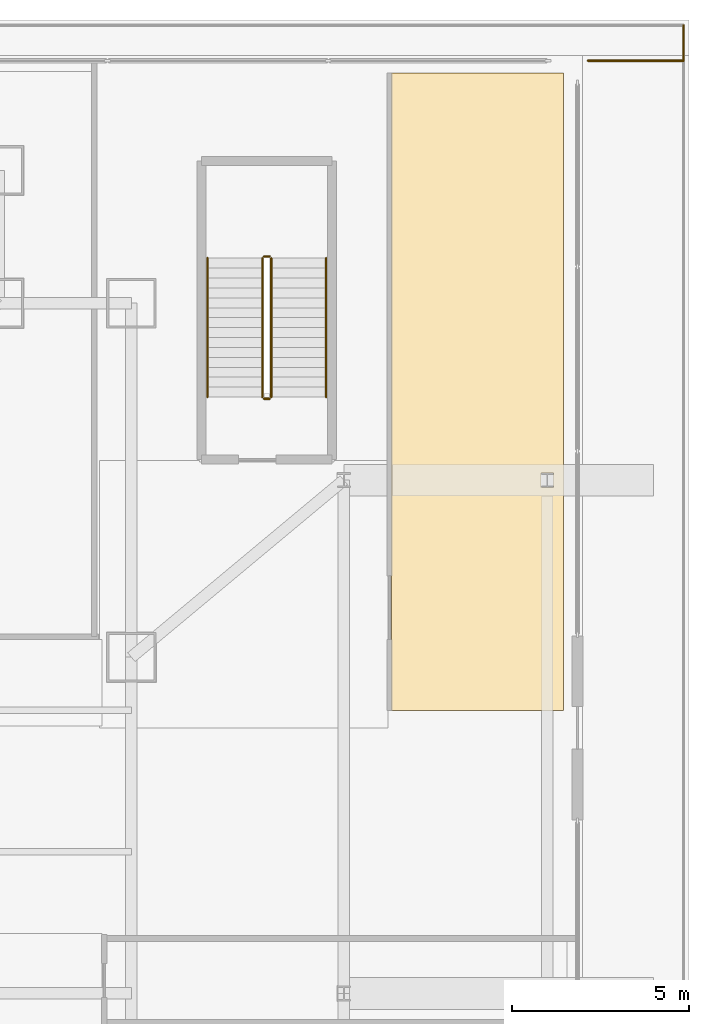
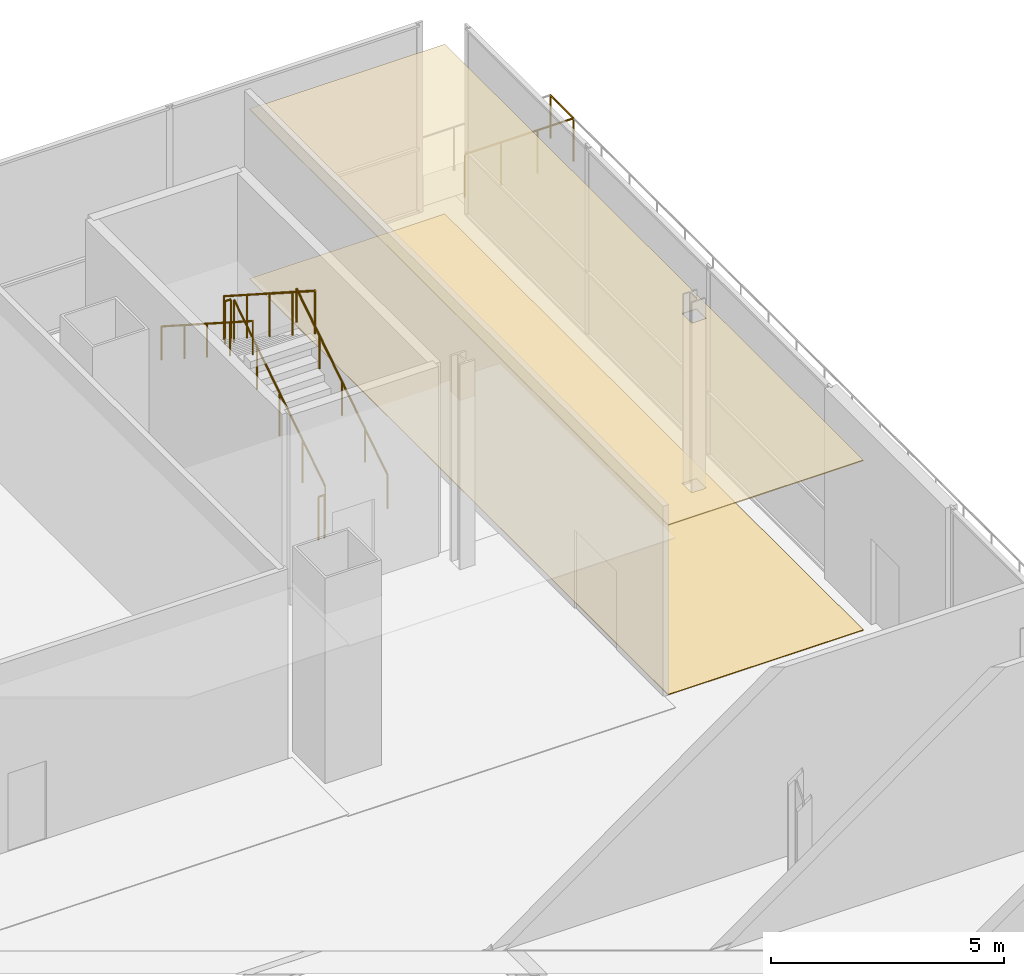
# One storey, part 35 of 35: 8 railings, 2 coverings.
"""IFC4 building model written with IfcOpenShell, lengths in metres."""

from ifc_helpers import new_model, si_unit, direction, frame, origin, origin_2d, place, context, subcontext, project, spatial, polyline, circle, outline, extrude, material, layer, layer_set, type_object, element, save


model = new_model("IFC4")

# Units and contexts
model_context = context("Model", 3, precision=1e-05, world=origin(), true_north=direction((0.0, 1.0)))
body_context = subcontext(model_context, "Body", "Model", "MODEL_VIEW")
ifc_project = project(units=[si_unit("LENGTHUNIT", "METRE"), si_unit("AREAUNIT", "SQUARE_METRE"), si_unit("VOLUMEUNIT", "CUBIC_METRE"), si_unit("PLANEANGLEUNIT", "RADIAN"), si_unit("MASSUNIT", "GRAM", prefix="KILO")], contexts=[model_context])

# Site, building, storey
site_placement = place(None, origin())
site = spatial("IfcSite", under=ifc_project, at=site_placement, CompositionType="ELEMENT")
building_placement = place(site_placement, origin())
building = spatial("IfcBuilding", under=site, at=building_placement, Name="Trevonay Congress Spire", CompositionType="ELEMENT")
storey_placement = place(building_placement, frame((0.0, 0.0, 10.800048828125)))
storey = spatial("IfcBuildingStorey", under=building, at=storey_placement, Name="L02", CompositionType="ELEMENT", Elevation=10.800048828125)

# Coverings
ifc_material_1 = material(Name="Acoustic Mineral Fibre Board", Category="gypsum")
ifc_layer_1 = layer(ifc_material_1, 0.02490234375, Name="Acoustic Mineral Fibre Board")
ifc_layer_set_1 = layer_set([ifc_layer_1], Name="Acoustic Mineral Fibre Board")
covering_type_1 = type_object("IfcCoveringType", Name="COV-CEIL-ACOUSTIC", PredefinedType="CEILING", material=ifc_layer_set_1)
covering_1_placement = place(storey_placement, frame((0.0, 0.0, 4.449951171875)))
element("IfcCovering", 1, at=covering_1_placement, inside=storey, type_object=covering_type_1, Name="L02 L02 North-East Hospitality Salon acoustic suspended ceiling", PredefinedType="CEILING", context=body_context, shape_type="SweptSolid", body=[
    extrude(outline(polyline([(30.60009765625, 26.0), (35.449951171875, 26.0), (35.449951171875, 8.0), (30.60009765625, 8.0), (30.60009765625, 26.0)]), holes=[polyline([(35.179931640625, 14.29345703125), (35.179931640625, 14.70654296875), (34.820068359375, 14.70654296875), (34.820068359375, 14.29345703125), (35.179931640625, 14.29345703125)])]), origin(), (0.0, 0.0, 1.0), 0.02490234375),
])
ifc_material_2 = material(Name="Polished Granite Floor Tile", Category="masonry")
ifc_layer_2 = layer(ifc_material_2, 0.02001953125, Name="Polished Granite Floor Tile")
ifc_layer_set_2 = layer_set([ifc_layer_2], Name="Polished Granite Floor Tile")
covering_type_2 = type_object("IfcCoveringType", Name="COV-FLOOR-STONE", PredefinedType="FLOORING", material=ifc_layer_set_2)
covering_2_placement = place(storey_placement, origin())
element("IfcCovering", 2, at=covering_2_placement, inside=storey, type_object=covering_type_2, Name="L02 L02 North-East Hospitality Salon floor finish", PredefinedType="FLOORING", context=body_context, shape_type="SweptSolid", body=[
    extrude(outline(polyline([(30.60009765625, 26.0), (35.449951171875, 26.0), (35.449951171875, 8.0), (30.60009765625, 8.0), (30.60009765625, 26.0)]), holes=[polyline([(35.179931640625, 14.29345703125), (35.179931640625, 14.70654296875), (34.820068359375, 14.70654296875), (34.820068359375, 14.29345703125), (35.179931640625, 14.29345703125)])]), origin(), (0.0, 0.0, 1.0), 0.02001953125),
])

# Railings
ifc_material_3 = material(Name="Pale Anodised Aluminium EN AW-6063-T6", Category="aluminium")
railing_type_1 = type_object("IfcRailingType", Name="RAL-EXT-GUARD-115", PredefinedType="GUARDRAIL", material=ifc_material_3)
railing_1_placement = place(storey_placement, frame((38.85009765625, 26.35009765625, 0.0)))
element("IfcRailing", 3, at=railing_1_placement, inside=storey, type_object=railing_type_1, Name="L02 perimeter safety guard GRD-L02-TER-E-3", PredefinedType="GUARDRAIL", context=body_context, shape_type="SweptSolid", body=[
    extrude(circle(Radius=0.02392578125, at=origin_2d()), frame((0.0, 0.0, 1.1259765625), z_axis=(-1.0, 0.0, 0.0), x_axis=(0.0, -1.0, 0.0)), (0.0, 0.0, 1.0), 2.7001953125),
    extrude(circle(Radius=0.02099609375, at=origin_2d()), origin(), (0.0, 0.0, 1.0), 1.101806640625),
    extrude(circle(Radius=0.02099609375, at=origin_2d()), frame((-0.900146484375, 0.0, 0.0)), (0.0, 0.0, 1.0), 1.101806640625),
    extrude(circle(Radius=0.02099609375, at=origin_2d()), frame((-1.800048828125, 0.0, 0.0)), (0.0, 0.0, 1.0), 1.101806640625),
    extrude(circle(Radius=0.02099609375, at=origin_2d()), frame((-2.7001953125, 0.0, 0.0)), (0.0, 0.0, 1.0), 1.101806640625),
])
railing_2_placement = place(storey_placement, frame((38.85009765625, 27.35009765625, 0.0)))
element("IfcRailing", 4, at=railing_2_placement, inside=storey, type_object=railing_type_1, Name="L02 perimeter safety guard GRD-L02-TER-N-3", PredefinedType="GUARDRAIL", context=body_context, shape_type="SweptSolid", body=[
    extrude(circle(Radius=0.02392578125, at=origin_2d()), frame((0.0, 0.0, 1.1259765625), z_axis=(0.0, -1.0, 0.0), x_axis=(1.0, 0.0, 0.0)), (0.0, 0.0, 1.0), 1.0),
    extrude(circle(Radius=0.02099609375, at=origin_2d()), origin(), (0.0, 0.0, 1.0), 1.101806640625),
    extrude(circle(Radius=0.02099609375, at=origin_2d()), frame((0.0, -1.0, 0.0)), (0.0, 0.0, 1.0), 1.101806640625),
])
railing_type_2 = type_object("IfcRailingType", Name="RAL-STAIR-GUARD-110", PredefinedType="GUARDRAIL", material=ifc_material_3)
railing_3_placement = place(storey_placement, frame((27.199951171875, 16.85009765625, 0.179931640625)))
element("IfcRailing", 5, at=railing_3_placement, inside=storey, type_object=railing_type_2, Name="L02 ST-6 stair guard 1", PredefinedType="GUARDRAIL", context=body_context, shape_type="SweptSolid", body=[
    extrude(circle(Radius=0.02392578125, at=origin_2d()), frame((0.0, 0.0, 1.1259765625), z_axis=(0.0, 0.841171666519, 0.540768182723), x_axis=(-1.0, 0.0, 0.0)), (0.0, 0.0, 1.0), 4.66015625),
    extrude(circle(Radius=0.02099609375, at=origin_2d()), origin(), (0.0, 0.0, 1.0), 1.101806640625),
    extrude(circle(Radius=0.02099609375, at=origin_2d()), frame((0.0, 0.97998046875, 0.6298828125)), (0.0, 0.0, 1.0), 1.101806640625),
    extrude(circle(Radius=0.02099609375, at=origin_2d()), frame((0.0, 1.9599609375, 1.260009765625)), (0.0, 0.0, 1.0), 1.101806640625),
    extrude(circle(Radius=0.02099609375, at=origin_2d()), frame((0.0, 2.93994140625, 1.89013671875)), (0.0, 0.0, 1.0), 1.101806640625),
    extrude(circle(Radius=0.02099609375, at=origin_2d()), frame((0.0, 3.919921875, 2.52001953125)), (0.0, 0.0, 1.0), 1.101806640625),
])
railing_4_placement = place(storey_placement, frame((27.14990234375, 20.820068359375, 2.699951171875)))
element("IfcRailing", 6, at=railing_4_placement, inside=storey, type_object=railing_type_2, Name="L02 ST-6 stair guard 2", PredefinedType="GUARDRAIL", context=body_context, shape_type="SweptSolid", body=[
    extrude(circle(Radius=0.02392578125, at=origin_2d()), frame((0.0, 0.0, 1.1259765625), z_axis=(-1.0, 0.0, 0.0), x_axis=(0.0, -1.0, 0.0)), (0.0, 0.0, 1.0), 0.14990234375),
    extrude(circle(Radius=0.02099609375, at=origin_2d()), origin(), (0.0, 0.0, 1.0), 1.101806640625),
    extrude(circle(Radius=0.02099609375, at=origin_2d()), frame((-0.14990234375, 0.0, 0.0)), (0.0, 0.0, 1.0), 1.101806640625),
])
railing_5_placement = place(storey_placement, frame((26.949951171875, 20.77001953125, 2.8798828125)))
element("IfcRailing", 7, at=railing_5_placement, inside=storey, type_object=railing_type_2, Name="L02 ST-6 stair guard 3", PredefinedType="GUARDRAIL", context=body_context, shape_type="SweptSolid", body=[
    extrude(circle(Radius=0.02392578125, at=origin_2d()), frame((0.0, 0.0, 1.1259765625), z_axis=(0.0, -0.841171666519, 0.540768182723), x_axis=(1.0, 0.0, 0.0)), (0.0, 0.0, 1.0), 4.66015625),
    extrude(circle(Radius=0.02099609375, at=origin_2d()), origin(), (0.0, 0.0, 1.0), 1.101806640625),
    extrude(circle(Radius=0.02099609375, at=origin_2d()), frame((0.0, -0.97998046875, 0.6298828125)), (0.0, 0.0, 1.0), 1.101806640625),
    extrude(circle(Radius=0.02099609375, at=origin_2d()), frame((0.0, -1.9599609375, 1.260009765625)), (0.0, 0.0, 1.0), 1.101806640625),
    extrude(circle(Radius=0.02099609375, at=origin_2d()), frame((0.0, -2.93994140625, 1.89013671875)), (0.0, 0.0, 1.0), 1.101806640625),
    extrude(circle(Radius=0.02099609375, at=origin_2d()), frame((0.0, -3.919921875, 2.52001953125)), (0.0, 0.0, 1.0), 1.101806640625),
])
railing_6_placement = place(storey_placement, frame((27.14990234375, 16.800048828125, 0.0)))
element("IfcRailing", 8, at=railing_6_placement, inside=storey, type_object=railing_type_2, Name="L02 ST-6 stair guard 4", PredefinedType="GUARDRAIL", context=body_context, shape_type="SweptSolid", body=[
    extrude(circle(Radius=0.02392578125, at=origin_2d()), frame((0.0, 0.0, 1.1259765625), z_axis=(-1.0, 0.0, 0.0), x_axis=(0.0, -1.0, 0.0)), (0.0, 0.0, 1.0), 0.14990234375),
    extrude(circle(Radius=0.02099609375, at=origin_2d()), origin(), (0.0, 0.0, 1.0), 1.101806640625),
    extrude(circle(Radius=0.02099609375, at=origin_2d()), frame((-0.14990234375, 0.0, 0.0)), (0.0, 0.0, 1.0), 1.101806640625),
])
railing_type_3 = type_object("IfcRailingType", Name="RAL-STAIR-HANDRAIL", PredefinedType="HANDRAIL", material=ifc_material_3)
railing_7_placement = place(storey_placement, frame((28.75, 16.85009765625, 0.179931640625)))
element("IfcRailing", 9, at=railing_7_placement, inside=storey, type_object=railing_type_3, Name="L02 ST-6 stair handrail 1", PredefinedType="HANDRAIL", context=body_context, shape_type="SweptSolid", body=[
    extrude(circle(Radius=0.02392578125, at=origin_2d()), frame((0.0, 0.0, 0.8759765625), z_axis=(0.0, 0.841171666519, 0.540768182723), x_axis=(-1.0, 0.0, 0.0)), (0.0, 0.0, 1.0), 4.66015625),
    extrude(circle(Radius=0.02099609375, at=origin_2d()), origin(), (0.0, 0.0, 1.0), 0.851806640625),
    extrude(circle(Radius=0.02099609375, at=origin_2d()), frame((0.0, 0.97998046875, 0.6298828125)), (0.0, 0.0, 1.0), 0.851806640625),
    extrude(circle(Radius=0.02099609375, at=origin_2d()), frame((0.0, 1.9599609375, 1.260009765625)), (0.0, 0.0, 1.0), 0.851806640625),
    extrude(circle(Radius=0.02099609375, at=origin_2d()), frame((0.0, 2.93994140625, 1.89013671875)), (0.0, 0.0, 1.0), 0.851806640625),
    extrude(circle(Radius=0.02099609375, at=origin_2d()), frame((0.0, 3.919921875, 2.52001953125)), (0.0, 0.0, 1.0), 0.851806640625),
])
railing_8_placement = place(storey_placement, frame((25.39990234375, 20.77001953125, 2.8798828125)))
element("IfcRailing", 10, at=railing_8_placement, inside=storey, type_object=railing_type_3, Name="L02 ST-6 stair handrail 2", PredefinedType="HANDRAIL", context=body_context, shape_type="SweptSolid", body=[
    extrude(circle(Radius=0.02392578125, at=origin_2d()), frame((0.0, 0.0, 0.8759765625), z_axis=(0.0, -0.841171666519, 0.540768182723), x_axis=(1.0, 0.0, 0.0)), (0.0, 0.0, 1.0), 4.66015625),
    extrude(circle(Radius=0.02099609375, at=origin_2d()), origin(), (0.0, 0.0, 1.0), 0.851806640625),
    extrude(circle(Radius=0.02099609375, at=origin_2d()), frame((0.0, -0.97998046875, 0.6298828125)), (0.0, 0.0, 1.0), 0.851806640625),
    extrude(circle(Radius=0.02099609375, at=origin_2d()), frame((0.0, -1.9599609375, 1.260009765625)), (0.0, 0.0, 1.0), 0.851806640625),
    extrude(circle(Radius=0.02099609375, at=origin_2d()), frame((0.0, -2.93994140625, 1.89013671875)), (0.0, 0.0, 1.0), 0.851806640625),
    extrude(circle(Radius=0.02099609375, at=origin_2d()), frame((0.0, -3.919921875, 2.52001953125)), (0.0, 0.0, 1.0), 0.851806640625),
])

save(model, "model.ifc")
